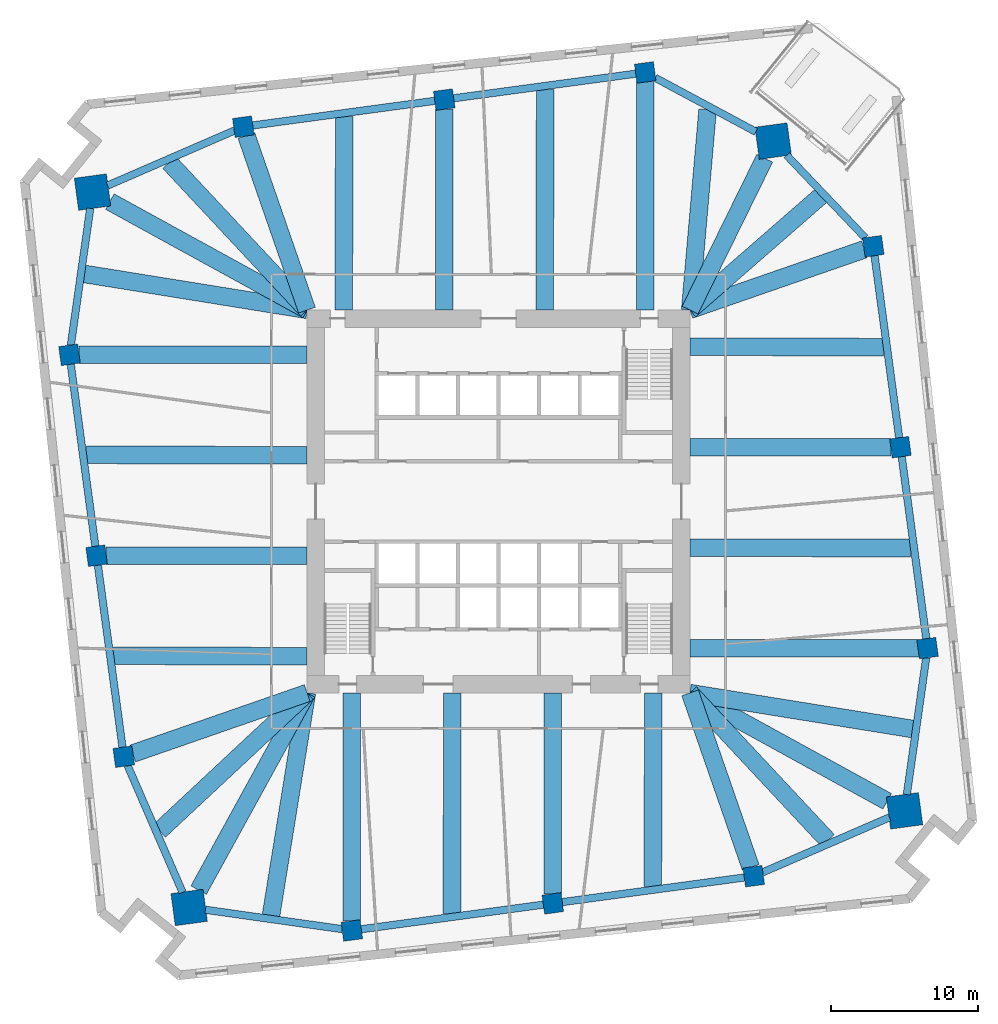
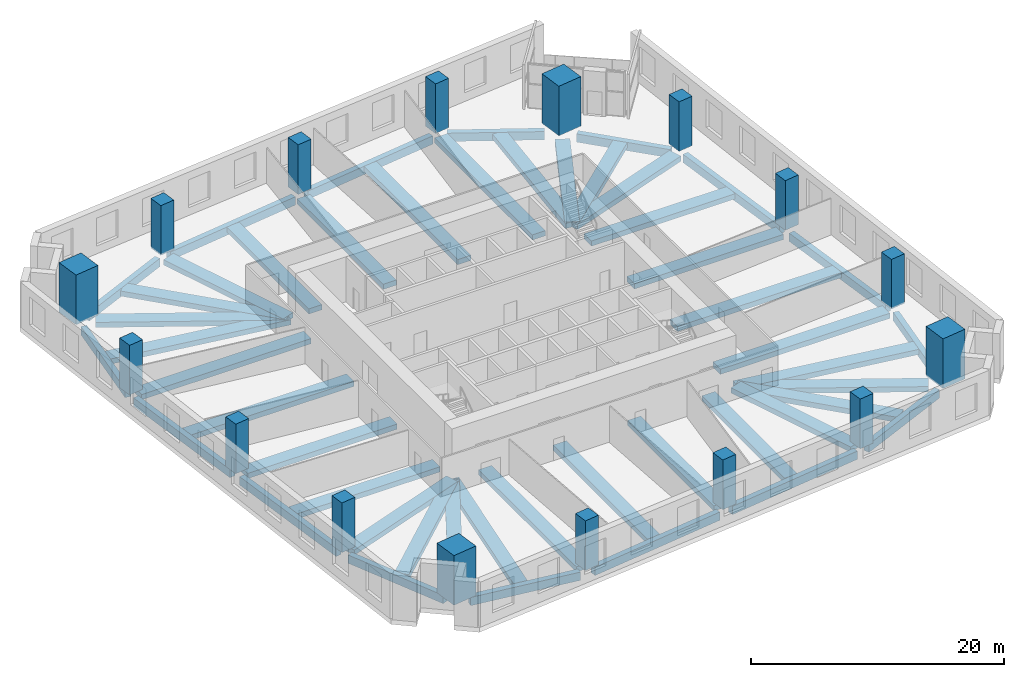
# One storey, part 1 of 10: 48 beams, 16 columns.
"""IFC4 building model written with IfcOpenShell, lengths in metres."""

from ifc_helpers import new_model, si_unit, direction, frame, origin, origin_2d, place, context, subcontext, project, spatial, rectangle, extrude, material, material_profile, profile_set, type_object, element, save


model = new_model("IFC4")

# Units and contexts
model_context = context("Model", 3, precision=1e-05, world=origin(), true_north=direction((0.0, 1.0)))
body_context = subcontext(model_context, "Body", "Model", "MODEL_VIEW")
ifc_project = project(units=[si_unit("LENGTHUNIT", "METRE"), si_unit("AREAUNIT", "SQUARE_METRE"), si_unit("VOLUMEUNIT", "CUBIC_METRE"), si_unit("PLANEANGLEUNIT", "RADIAN"), si_unit("MASSUNIT", "GRAM", prefix="KILO")], contexts=[model_context])

# Site, building, storey
site_placement = place(None, origin())
site = spatial("IfcSite", under=ifc_project, at=site_placement, CompositionType="ELEMENT")
building_placement = place(site_placement, origin())
building = spatial("IfcBuilding", under=site, at=building_placement, Name="Dilmun Exchange Tower", CompositionType="ELEMENT")
storey_placement = place(building_placement, frame((0.0, 0.0, 36.89990234375)))
storey = spatial("IfcBuildingStorey", under=building, at=storey_placement, Name="L08", CompositionType="ELEMENT", Elevation=36.89990234375)

# Columns
ifc_material_1 = material(Name="Concrete C80/95", Category="concrete")
ifc_material_profile_1 = material_profile(ifc_material_1, rectangle(XDim=2.199951171875, YDim=2.199951171875, at=origin_2d()), Name="2200 x 2200")
ifc_profile_set_1 = profile_set([ifc_material_profile_1], Name="Concrete C80/95")
column_type_1 = type_object("IfcColumnType", Name="RC mega column 2200 x 2200 C80/95", PredefinedType="COLUMN", material=ifc_profile_set_1)
for number, where, z_axis, x_axis, name in (
    (1, (18.6220703125, 24.43701171875, 0.0), (0.0, 0.0, 1.0), (0.991001197216, 0.133853005627, 0.0), "Mega column M1"),
    (2, (-27.531005859375, 20.97900390625, 0.0), (0.0, 0.0, 1.0), (0.991001197216, 0.133853005627, 0.0), "Mega column M2"),
    (3, (-20.97900390625, -27.531005859375, 0.0), (0.0, 0.0, 1.0), (0.991001197216, 0.133853005627, 0.0), "Mega column M3"),
    (4, (27.531005859375, -20.97900390625, 0.0), (0.0, 0.0, 1.0), (0.991001197216, 0.133853005627, 0.0), "Mega column M4"),
):
    element("IfcColumn", number, at=place(storey_placement, frame(where, z_axis=z_axis, x_axis=x_axis)), inside=storey, type_object=column_type_1, Name=name, PredefinedType="COLUMN", context=body_context, shape_type="SweptSolid", body=[
        extrude(rectangle(XDim=2.199951171875, YDim=2.199951171875, at=origin_2d()), origin(), (0.0, 0.0, 1.0), 4.800048828125),
    ])
ifc_material_profile_2 = material_profile(ifc_material_1, rectangle(XDim=1.300048828125, YDim=1.300048828125, at=origin_2d()), Name="1300 x 1300")
ifc_profile_set_2 = profile_set([ifc_material_profile_2], Name="Concrete C80/95")
column_type_2 = type_object("IfcColumnType", Name="RC ring column 1300 x 1300 C80/95", PredefinedType="COLUMN", material=ifc_profile_set_2)
for number, where, z_axis, x_axis, name in (
    (5, (9.945068359375, 29.093017578125, 0.0), (0.0, 0.0, 1.0), (0.991001197216, 0.133853005627, 0.0), "Ring column R01"),
    (6, (-3.680908203125, 27.2529296875, 0.0), (0.0, 0.0, 1.0), (0.991001197216, 0.133853005627, 0.0), "Ring column R02"),
    (7, (-17.306884765625, 25.412109375, 0.0), (0.0, 0.0, 1.0), (0.991001197216, 0.133853005627, 0.0), "Ring column R03"),
    (8, (-29.093017578125, 9.945068359375, 0.0), (0.0, 0.0, 1.0), (0.991001197216, 0.133853005627, 0.0), "Ring column R04"),
    (9, (-27.2529296875, -3.680908203125, 0.0), (0.0, 0.0, 1.0), (0.991001197216, 0.133853005627, 0.0), "Ring column R05"),
    (10, (-25.412109375, -17.306884765625, 0.0), (0.0, 0.0, 1.0), (0.991001197216, 0.133853005627, 0.0), "Ring column R06"),
    (11, (-9.945068359375, -29.093017578125, 0.0), (0.0, 0.0, 1.0), (0.991001197216, 0.133853005627, 0.0), "Ring column R07"),
    (12, (3.680908203125, -27.2529296875, 0.0), (0.0, 0.0, 1.0), (0.991001197216, 0.133853005627, 0.0), "Ring column R08"),
    (13, (17.306884765625, -25.412109375, 0.0), (0.0, 0.0, 1.0), (0.991001197216, 0.133853005627, 0.0), "Ring column R09"),
    (14, (29.093017578125, -9.945068359375, 0.0), (0.0, 0.0, 1.0), (0.991001197216, 0.133853005627, 0.0), "Ring column R10"),
    (15, (27.2529296875, 3.680908203125, 0.0), (0.0, 0.0, 1.0), (0.991001197216, 0.133853005627, 0.0), "Ring column R11"),
    (16, (25.412109375, 17.306884765625, 0.0), (0.0, 0.0, 1.0), (0.991001197216, 0.133853005627, 0.0), "Ring column R12"),
):
    element("IfcColumn", number, at=place(storey_placement, frame(where, z_axis=z_axis, x_axis=x_axis)), inside=storey, type_object=column_type_2, Name=name, PredefinedType="COLUMN", context=body_context, shape_type="SweptSolid", body=[
        extrude(rectangle(XDim=1.300048828125, YDim=1.300048828125, at=origin_2d()), origin(), (0.0, 0.0, 1.0), 4.800048828125),
    ])

# Beams
ifc_material_2 = material(Name="Concrete C40/50", Category="concrete")
ifc_material_profile_3 = material_profile(ifc_material_2, rectangle(XDim=1.199951171875, YDim=0.5, at=origin_2d()), Name="1200 x 500")
ifc_profile_set_3 = profile_set([ifc_material_profile_3], Name="Concrete C40/50")
beam_type_1 = type_object("IfcBeamType", Name="RC band beam 1200 x 500 C40/50", PredefinedType="BEAM", material=ifc_profile_set_3)
beam_1_placement = place(storey_placement, frame((18.049560546875, 23.272216796875, -0.699951171875), z_axis=(-0.44116009834, -0.897428419225, 0.0), x_axis=(0.897428419225, -0.44116009834, 0.0)))
element("IfcBeam", 17, at=beam_1_placement, inside=storey, type_object=beam_type_1, Name="Band beam 1", PredefinedType="BEAM", context=body_context, shape_type="SweptSolid", body=[
    extrude(rectangle(XDim=1.199951171875, YDim=0.5, at=origin_2d()), origin(), (0.0, 0.0, 1.0), 11.47314453125),
])
beam_2_placement = place(storey_placement, frame((9.945068359375, 28.464111328125, -0.699951171875), z_axis=(0.0, -1.0, 0.0), x_axis=(1.0, 0.0, 0.0)))
element("IfcBeam", 18, at=beam_2_placement, inside=storey, type_object=beam_type_1, Name="Band beam 2", PredefinedType="BEAM", context=body_context, shape_type="SweptSolid", body=[
    extrude(rectangle(XDim=1.199951171875, YDim=0.5, at=origin_2d()), origin(), (0.0, 0.0, 1.0), 15.4912109375),
])
beam_3_placement = place(storey_placement, frame((-3.680908203125, 26.6240234375, -0.699951171875), z_axis=(0.0, -1.0, 0.0), x_axis=(1.0, 0.0, 0.0)))
element("IfcBeam", 19, at=beam_3_placement, inside=storey, type_object=beam_type_1, Name="Band beam 3", PredefinedType="BEAM", context=body_context, shape_type="SweptSolid", body=[
    extrude(rectangle(XDim=1.199951171875, YDim=0.5, at=origin_2d()), origin(), (0.0, 0.0, 1.0), 13.651123046875),
])
beam_4_placement = place(storey_placement, frame((-17.098388671875, 24.81103515625, -0.699951171875), z_axis=(0.327819910959, -0.94474023201, 0.0), x_axis=(0.94474023201, 0.327819910959, 0.0)))
element("IfcBeam", 20, at=beam_4_placement, inside=storey, type_object=beam_type_1, Name="Band beam 4", PredefinedType="BEAM", context=body_context, shape_type="SweptSolid", body=[
    extrude(rectangle(XDim=1.199951171875, YDim=0.5, at=origin_2d()), origin(), (0.0, 0.0, 1.0), 12.52880859375),
])
beam_5_placement = place(storey_placement, frame((-26.355712890625, 20.333740234375, -0.699951171875), z_axis=(0.876547324806, -0.481315683699, 0.0), x_axis=(0.481315683699, 0.876547324806, 0.0)))
element("IfcBeam", 21, at=beam_5_placement, inside=storey, type_object=beam_type_1, Name="Band beam 5", PredefinedType="BEAM", context=body_context, shape_type="SweptSolid", body=[
    extrude(rectangle(XDim=1.199951171875, YDim=0.5, at=origin_2d()), origin(), (0.0, 0.0, 1.0), 15.263671875),
])
beam_6_placement = place(storey_placement, frame((-28.464111328125, 9.945068359375, -0.699951171875), z_axis=(1.0, 0.0, 0.0), x_axis=(0.0, 1.0, 0.0)))
element("IfcBeam", 22, at=beam_6_placement, inside=storey, type_object=beam_type_1, Name="Band beam 6", PredefinedType="BEAM", context=body_context, shape_type="SweptSolid", body=[
    extrude(rectangle(XDim=1.199951171875, YDim=0.5, at=origin_2d()), origin(), (0.0, 0.0, 1.0), 15.4912109375),
])
beam_7_placement = place(storey_placement, frame((-26.6240234375, -3.680908203125, -0.699951171875), z_axis=(1.0, 0.0, 0.0), x_axis=(0.0, 1.0, 0.0)))
element("IfcBeam", 23, at=beam_7_placement, inside=storey, type_object=beam_type_1, Name="Band beam 7", PredefinedType="BEAM", context=body_context, shape_type="SweptSolid", body=[
    extrude(rectangle(XDim=1.199951171875, YDim=0.5, at=origin_2d()), origin(), (0.0, 0.0, 1.0), 13.651123046875),
])
beam_8_placement = place(storey_placement, frame((-24.81103515625, -17.098388671875, -0.699951171875), z_axis=(0.94474023201, 0.327819910959, 0.0), x_axis=(-0.327819910959, 0.94474023201, 0.0)))
element("IfcBeam", 24, at=beam_8_placement, inside=storey, type_object=beam_type_1, Name="Band beam 8", PredefinedType="BEAM", context=body_context, shape_type="SweptSolid", body=[
    extrude(rectangle(XDim=1.199951171875, YDim=0.5, at=origin_2d()), origin(), (0.0, 0.0, 1.0), 12.52880859375),
])
beam_9_placement = place(storey_placement, frame((-20.333740234375, -26.355712890625, -0.699951171875), z_axis=(0.481315683699, 0.876547324806, 0.0), x_axis=(-0.876547324806, 0.481315683699, 0.0)))
element("IfcBeam", 25, at=beam_9_placement, inside=storey, type_object=beam_type_1, Name="Band beam 9", PredefinedType="BEAM", context=body_context, shape_type="SweptSolid", body=[
    extrude(rectangle(XDim=1.199951171875, YDim=0.5, at=origin_2d()), origin(), (0.0, 0.0, 1.0), 15.263671875),
])
beam_10_placement = place(storey_placement, frame((-9.945068359375, -28.464111328125, -0.699951171875), z_axis=(0.0, 1.0, 0.0), x_axis=(-1.0, 0.0, 0.0)))
element("IfcBeam", 26, at=beam_10_placement, inside=storey, type_object=beam_type_1, Name="Band beam 10", PredefinedType="BEAM", context=body_context, shape_type="SweptSolid", body=[
    extrude(rectangle(XDim=1.199951171875, YDim=0.5, at=origin_2d()), origin(), (0.0, 0.0, 1.0), 15.4912109375),
])
beam_11_placement = place(storey_placement, frame((3.680908203125, -26.6240234375, -0.699951171875), z_axis=(0.0, 1.0, 0.0), x_axis=(-1.0, 0.0, 0.0)))
element("IfcBeam", 27, at=beam_11_placement, inside=storey, type_object=beam_type_1, Name="Band beam 11", PredefinedType="BEAM", context=body_context, shape_type="SweptSolid", body=[
    extrude(rectangle(XDim=1.199951171875, YDim=0.5, at=origin_2d()), origin(), (0.0, 0.0, 1.0), 13.651123046875),
])
beam_12_placement = place(storey_placement, frame((17.098388671875, -24.81103515625, -0.699951171875), z_axis=(-0.327819910959, 0.94474023201, 0.0), x_axis=(-0.94474023201, -0.327819910959, 0.0)))
element("IfcBeam", 28, at=beam_12_placement, inside=storey, type_object=beam_type_1, Name="Band beam 12", PredefinedType="BEAM", context=body_context, shape_type="SweptSolid", body=[
    extrude(rectangle(XDim=1.199951171875, YDim=0.5, at=origin_2d()), origin(), (0.0, 0.0, 1.0), 12.52880859375),
])
beam_13_placement = place(storey_placement, frame((26.355712890625, -20.333740234375, -0.699951171875), z_axis=(-0.876547324806, 0.481315683699, 0.0), x_axis=(-0.481315683699, -0.876547324806, 0.0)))
element("IfcBeam", 29, at=beam_13_placement, inside=storey, type_object=beam_type_1, Name="Band beam 13", PredefinedType="BEAM", context=body_context, shape_type="SweptSolid", body=[
    extrude(rectangle(XDim=1.199951171875, YDim=0.5, at=origin_2d()), origin(), (0.0, 0.0, 1.0), 15.263671875),
])
beam_14_placement = place(storey_placement, frame((28.464111328125, -9.945068359375, -0.699951171875), z_axis=(-1.0, 0.0, 0.0), x_axis=(0.0, -1.0, 0.0)))
element("IfcBeam", 30, at=beam_14_placement, inside=storey, type_object=beam_type_1, Name="Band beam 14", PredefinedType="BEAM", context=body_context, shape_type="SweptSolid", body=[
    extrude(rectangle(XDim=1.199951171875, YDim=0.5, at=origin_2d()), origin(), (0.0, 0.0, 1.0), 15.4912109375),
])
beam_15_placement = place(storey_placement, frame((26.6240234375, 3.680908203125, -0.699951171875), z_axis=(-1.0, 0.0, 0.0), x_axis=(0.0, -1.0, 0.0)))
element("IfcBeam", 31, at=beam_15_placement, inside=storey, type_object=beam_type_1, Name="Band beam 15", PredefinedType="BEAM", context=body_context, shape_type="SweptSolid", body=[
    extrude(rectangle(XDim=1.199951171875, YDim=0.5, at=origin_2d()), origin(), (0.0, 0.0, 1.0), 13.651123046875),
])
beam_16_placement = place(storey_placement, frame((24.81103515625, 17.098388671875, -0.699951171875), z_axis=(-0.94474023201, -0.327819910959, 0.0), x_axis=(0.327819910959, -0.94474023201, 0.0)))
element("IfcBeam", 32, at=beam_16_placement, inside=storey, type_object=beam_type_1, Name="Band beam 16", PredefinedType="BEAM", context=body_context, shape_type="SweptSolid", body=[
    extrude(rectangle(XDim=1.199951171875, YDim=0.5, at=origin_2d()), origin(), (0.0, 0.0, 1.0), 12.52880859375),
])
beam_17_placement = place(storey_placement, frame((14.177978515625, 26.568603515625, -0.699951171875), z_axis=(-0.086499148019, -0.996251924662, 0.0), x_axis=(0.996251924662, -0.086499148019, 0.0)))
element("IfcBeam", 33, at=beam_17_placement, inside=storey, type_object=beam_type_1, Name="Band beam 17", PredefinedType="BEAM", context=body_context, shape_type="SweptSolid", body=[
    extrude(rectangle(XDim=1.199951171875, YDim=0.5, at=origin_2d()), origin(), (0.0, 0.0, 1.0), 13.646728515625),
])
beam_18_placement = place(storey_placement, frame((3.161865234375, 27.951904296875, -0.699951171875), z_axis=(-0.001988456479, -0.999998023018, 0.0), x_axis=(0.999998023018, -0.001988456479, 0.0)))
element("IfcBeam", 34, at=beam_18_placement, inside=storey, type_object=beam_type_1, Name="Band beam 18", PredefinedType="BEAM", context=body_context, shape_type="SweptSolid", body=[
    extrude(rectangle(XDim=1.199951171875, YDim=0.5, at=origin_2d()), origin(), (0.0, 0.0, 1.0), 14.97900390625),
])
beam_19_placement = place(storey_placement, frame((-10.464111328125, 26.111572265625, -0.699951171875), z_axis=(-0.002266977971, -0.999997430402, 0.0), x_axis=(0.999997430402, -0.002266977971, 0.0)))
element("IfcBeam", 35, at=beam_19_placement, inside=storey, type_object=beam_type_1, Name="Band beam 19", PredefinedType="BEAM", context=body_context, shape_type="SweptSolid", body=[
    extrude(rectangle(XDim=1.199951171875, YDim=0.5, at=origin_2d()), origin(), (0.0, 0.0, 1.0), 13.138671875),
])
beam_20_placement = place(storey_placement, frame((-22.330322265625, 22.990966796875, -0.699951171875), z_axis=(0.682523984798, -0.730863195253, 0.0), x_axis=(0.730863195253, 0.682523984798, 0.0)))
element("IfcBeam", 36, at=beam_20_placement, inside=storey, type_object=beam_type_1, Name="Band beam 20", PredefinedType="BEAM", context=body_context, shape_type="SweptSolid", body=[
    extrude(rectangle(XDim=1.199951171875, YDim=0.5, at=origin_2d()), origin(), (0.0, 0.0, 1.0), 13.697265625),
])
beam_21_placement = place(storey_placement, frame((-28.09130859375, 15.4306640625, -0.699951171875), z_axis=(0.98727513595, -0.159021400868, 0.0), x_axis=(0.159021400868, 0.98727513595, 0.0)))
element("IfcBeam", 37, at=beam_21_placement, inside=storey, type_object=beam_type_1, Name="Band beam 21", PredefinedType="BEAM", context=body_context, shape_type="SweptSolid", body=[
    extrude(rectangle(XDim=1.199951171875, YDim=0.5, at=origin_2d()), origin(), (0.0, 0.0, 1.0), 15.312744140625),
])
beam_22_placement = place(storey_placement, frame((-27.951904296875, 3.161865234375, -0.699951171875), z_axis=(0.999998023018, -0.001988456479, 0.0), x_axis=(0.001988456479, 0.999998023018, 0.0)))
element("IfcBeam", 38, at=beam_22_placement, inside=storey, type_object=beam_type_1, Name="Band beam 22", PredefinedType="BEAM", context=body_context, shape_type="SweptSolid", body=[
    extrude(rectangle(XDim=1.199951171875, YDim=0.5, at=origin_2d()), origin(), (0.0, 0.0, 1.0), 14.97900390625),
])
beam_23_placement = place(storey_placement, frame((-26.111572265625, -10.464111328125, -0.699951171875), z_axis=(0.999997430402, -0.002266977971, 0.0), x_axis=(0.002266977971, 0.999997430402, 0.0)))
element("IfcBeam", 39, at=beam_23_placement, inside=storey, type_object=beam_type_1, Name="Band beam 23", PredefinedType="BEAM", context=body_context, shape_type="SweptSolid", body=[
    extrude(rectangle(XDim=1.199951171875, YDim=0.5, at=origin_2d()), origin(), (0.0, 0.0, 1.0), 13.138671875),
])
beam_24_placement = place(storey_placement, frame((-22.990966796875, -22.330322265625, -0.699951171875), z_axis=(0.730863195253, 0.682523984798, 0.0), x_axis=(-0.682523984798, 0.730863195253, 0.0)))
element("IfcBeam", 40, at=beam_24_placement, inside=storey, type_object=beam_type_1, Name="Band beam 24", PredefinedType="BEAM", context=body_context, shape_type="SweptSolid", body=[
    extrude(rectangle(XDim=1.199951171875, YDim=0.5, at=origin_2d()), origin(), (0.0, 0.0, 1.0), 13.697265625),
])
beam_25_placement = place(storey_placement, frame((-15.4306640625, -28.09130859375, -0.699951171875), z_axis=(0.159021400868, 0.98727513595, 0.0), x_axis=(-0.98727513595, 0.159021400868, 0.0)))
element("IfcBeam", 41, at=beam_25_placement, inside=storey, type_object=beam_type_1, Name="Band beam 25", PredefinedType="BEAM", context=body_context, shape_type="SweptSolid", body=[
    extrude(rectangle(XDim=1.199951171875, YDim=0.5, at=origin_2d()), origin(), (0.0, 0.0, 1.0), 15.312744140625),
])
beam_26_placement = place(storey_placement, frame((-3.161865234375, -27.951904296875, -0.699951171875), z_axis=(0.001988456479, 0.999998023018, 0.0), x_axis=(-0.999998023018, 0.001988456479, 0.0)))
element("IfcBeam", 42, at=beam_26_placement, inside=storey, type_object=beam_type_1, Name="Band beam 26", PredefinedType="BEAM", context=body_context, shape_type="SweptSolid", body=[
    extrude(rectangle(XDim=1.199951171875, YDim=0.5, at=origin_2d()), origin(), (0.0, 0.0, 1.0), 14.97900390625),
])
beam_27_placement = place(storey_placement, frame((10.464111328125, -26.111572265625, -0.699951171875), z_axis=(0.002266977971, 0.999997430402, 0.0), x_axis=(-0.999997430402, 0.002266977971, 0.0)))
element("IfcBeam", 43, at=beam_27_placement, inside=storey, type_object=beam_type_1, Name="Band beam 27", PredefinedType="BEAM", context=body_context, shape_type="SweptSolid", body=[
    extrude(rectangle(XDim=1.199951171875, YDim=0.5, at=origin_2d()), origin(), (0.0, 0.0, 1.0), 13.138671875),
])
beam_28_placement = place(storey_placement, frame((22.330322265625, -22.990966796875, -0.699951171875), z_axis=(-0.682523984798, 0.730863195253, 0.0), x_axis=(-0.730863195253, -0.682523984798, 0.0)))
element("IfcBeam", 44, at=beam_28_placement, inside=storey, type_object=beam_type_1, Name="Band beam 28", PredefinedType="BEAM", context=body_context, shape_type="SweptSolid", body=[
    extrude(rectangle(XDim=1.199951171875, YDim=0.5, at=origin_2d()), origin(), (0.0, 0.0, 1.0), 13.697265625),
])
beam_29_placement = place(storey_placement, frame((28.09130859375, -15.4306640625, -0.699951171875), z_axis=(-0.98727513595, 0.159021400868, 0.0), x_axis=(-0.159021400868, -0.98727513595, 0.0)))
element("IfcBeam", 45, at=beam_29_placement, inside=storey, type_object=beam_type_1, Name="Band beam 29", PredefinedType="BEAM", context=body_context, shape_type="SweptSolid", body=[
    extrude(rectangle(XDim=1.199951171875, YDim=0.5, at=origin_2d()), origin(), (0.0, 0.0, 1.0), 15.312744140625),
])
beam_30_placement = place(storey_placement, frame((27.951904296875, -3.161865234375, -0.699951171875), z_axis=(-0.999998023018, 0.001988456479, 0.0), x_axis=(-0.001988456479, -0.999998023018, 0.0)))
element("IfcBeam", 46, at=beam_30_placement, inside=storey, type_object=beam_type_1, Name="Band beam 30", PredefinedType="BEAM", context=body_context, shape_type="SweptSolid", body=[
    extrude(rectangle(XDim=1.199951171875, YDim=0.5, at=origin_2d()), origin(), (0.0, 0.0, 1.0), 14.97900390625),
])
beam_31_placement = place(storey_placement, frame((26.111572265625, 10.464111328125, -0.699951171875), z_axis=(-0.999997430402, 0.002266977971, 0.0), x_axis=(-0.002266977971, -0.999997430402, 0.0)))
element("IfcBeam", 47, at=beam_31_placement, inside=storey, type_object=beam_type_1, Name="Band beam 31", PredefinedType="BEAM", context=body_context, shape_type="SweptSolid", body=[
    extrude(rectangle(XDim=1.199951171875, YDim=0.5, at=origin_2d()), origin(), (0.0, 0.0, 1.0), 13.138671875),
])
beam_32_placement = place(storey_placement, frame((21.85546875, 20.71826171875, -0.699951171875), z_axis=(-0.75384567582, -0.657051517803, 0.0), x_axis=(0.657051517803, -0.75384567582, 0.0)))
element("IfcBeam", 48, at=beam_32_placement, inside=storey, type_object=beam_type_1, Name="Band beam 32", PredefinedType="BEAM", context=body_context, shape_type="SweptSolid", body=[
    extrude(rectangle(XDim=1.199951171875, YDim=0.5, at=origin_2d()), origin(), (0.0, 0.0, 1.0), 11.77392578125),
])
ifc_material_profile_4 = material_profile(ifc_material_2, rectangle(XDim=0.5, YDim=0.800048828125, at=origin_2d()), Name="500 x 800")
ifc_profile_set_4 = profile_set([ifc_material_profile_4], Name="Concrete C40/50")
beam_type_2 = type_object("IfcBeamType", Name="RC ring beam 500 x 800 C40/50", PredefinedType="SPANDREL", material=ifc_profile_set_4)
beam_33_placement = place(storey_placement, frame((17.44921875, 25.06640625, -0.849853515625), z_axis=(-0.881161870548, 0.472814718354, 0.0), x_axis=(-0.472814718354, -0.881161870548, 0.0)))
element("IfcBeam", 49, at=beam_33_placement, inside=storey, type_object=beam_type_2, Name="Ring beam 1", PredefinedType="SPANDREL", context=body_context, shape_type="SweptSolid", body=[
    extrude(rectangle(XDim=0.5, YDim=0.800048828125, at=origin_2d()), origin(), (0.0, 0.0, 1.0), 7.74072265625),
])
for number, where, z_axis, x_axis, name in (
    (50, (9.32763671875, 29.009521484375, -0.849853515625), (-0.991007411355, -0.133806990248, 0.0), (0.133806990248, -0.991007411355, 0.0), "Ring beam 2"),
    (51, (-4.29833984375, 27.169677734375, -0.849853515625), (-0.990994461239, -0.133902867012, 0.0), (0.133902867012, -0.990994461239, 0.0), "Ring beam 3"),
):
    element("IfcBeam", number, at=place(storey_placement, frame(where, z_axis=z_axis, x_axis=x_axis)), inside=storey, type_object=beam_type_2, Name=name, PredefinedType="SPANDREL", context=body_context, shape_type="SweptSolid", body=[
        extrude(rectangle(XDim=0.5, YDim=0.800048828125, at=origin_2d()), origin(), (0.0, 0.0, 1.0), 12.50390625),
    ])
beam_34_placement = place(storey_placement, frame((-17.90185546875, 25.154052734375, -0.849853515625), z_axis=(-0.917467286901, -0.397811233459, 0.0), x_axis=(0.397811233459, -0.917467286901, 0.0)))
element("IfcBeam", 52, at=beam_34_placement, inside=storey, type_object=beam_type_2, Name="Ring beam 4", PredefinedType="SPANDREL", context=body_context, shape_type="SweptSolid", body=[
    extrude(rectangle(XDim=0.5, YDim=0.800048828125, at=origin_2d()), origin(), (0.0, 0.0, 1.0), 9.37939453125),
])
beam_35_placement = place(storey_placement, frame((-27.6875, 19.8740234375, -0.849853515625), z_axis=(-0.140164060375, -0.990128292788, 0.0), x_axis=(0.990128292788, -0.140164060375, 0.0)))
element("IfcBeam", 53, at=beam_35_placement, inside=storey, type_object=beam_type_2, Name="Ring beam 5", PredefinedType="SPANDREL", context=body_context, shape_type="SweptSolid", body=[
    extrude(rectangle(XDim=0.5, YDim=0.800048828125, at=origin_2d()), origin(), (0.0, 0.0, 1.0), 9.379638671875),
])
for number, where, z_axis, x_axis, name in (
    (54, (-29.009521484375, 9.32763671875, -0.849853515625), (0.133806990248, -0.991007411355, 0.0), (0.991007411355, 0.133806990248, 0.0), "Ring beam 6"),
    (55, (-27.169677734375, -4.29833984375, -0.849853515625), (0.133902867012, -0.990994461239, 0.0), (0.990994461239, 0.133902867012, 0.0), "Ring beam 7"),
):
    element("IfcBeam", number, at=place(storey_placement, frame(where, z_axis=z_axis, x_axis=x_axis)), inside=storey, type_object=beam_type_2, Name=name, PredefinedType="SPANDREL", context=body_context, shape_type="SweptSolid", body=[
        extrude(rectangle(XDim=0.5, YDim=0.800048828125, at=origin_2d()), origin(), (0.0, 0.0, 1.0), 12.50390625),
    ])
beam_36_placement = place(storey_placement, frame((-25.154052734375, -17.90185546875, -0.849853515625), z_axis=(0.397811233459, -0.917467286901, 0.0), x_axis=(0.917467286901, 0.397811233459, 0.0)))
element("IfcBeam", 56, at=beam_36_placement, inside=storey, type_object=beam_type_2, Name="Ring beam 8", PredefinedType="SPANDREL", context=body_context, shape_type="SweptSolid", body=[
    extrude(rectangle(XDim=0.5, YDim=0.800048828125, at=origin_2d()), origin(), (0.0, 0.0, 1.0), 9.37939453125),
])
beam_37_placement = place(storey_placement, frame((-19.8740234375, -27.6875, -0.849853515625), z_axis=(0.990128292788, -0.140164060375, 0.0), x_axis=(0.140164060375, 0.990128292788, 0.0)))
element("IfcBeam", 57, at=beam_37_placement, inside=storey, type_object=beam_type_2, Name="Ring beam 9", PredefinedType="SPANDREL", context=body_context, shape_type="SweptSolid", body=[
    extrude(rectangle(XDim=0.5, YDim=0.800048828125, at=origin_2d()), origin(), (0.0, 0.0, 1.0), 9.379638671875),
])
for number, where, z_axis, x_axis, name in (
    (58, (-9.32763671875, -29.009521484375, -0.849853515625), (0.991007411355, 0.133806990248, 0.0), (-0.133806990248, 0.991007411355, 0.0), "Ring beam 10"),
    (59, (4.29833984375, -27.169677734375, -0.849853515625), (0.990994461239, 0.133902867012, 0.0), (-0.133902867012, 0.990994461239, 0.0), "Ring beam 11"),
):
    element("IfcBeam", number, at=place(storey_placement, frame(where, z_axis=z_axis, x_axis=x_axis)), inside=storey, type_object=beam_type_2, Name=name, PredefinedType="SPANDREL", context=body_context, shape_type="SweptSolid", body=[
        extrude(rectangle(XDim=0.5, YDim=0.800048828125, at=origin_2d()), origin(), (0.0, 0.0, 1.0), 12.50390625),
    ])
beam_38_placement = place(storey_placement, frame((17.90185546875, -25.154052734375, -0.849853515625), z_axis=(0.917467286901, 0.397811233459, 0.0), x_axis=(-0.397811233459, 0.917467286901, 0.0)))
element("IfcBeam", 60, at=beam_38_placement, inside=storey, type_object=beam_type_2, Name="Ring beam 12", PredefinedType="SPANDREL", context=body_context, shape_type="SweptSolid", body=[
    extrude(rectangle(XDim=0.5, YDim=0.800048828125, at=origin_2d()), origin(), (0.0, 0.0, 1.0), 9.37939453125),
])
beam_39_placement = place(storey_placement, frame((27.6875, -19.8740234375, -0.849853515625), z_axis=(0.140164060375, 0.990128292788, 0.0), x_axis=(-0.990128292788, 0.140164060375, 0.0)))
element("IfcBeam", 61, at=beam_39_placement, inside=storey, type_object=beam_type_2, Name="Ring beam 13", PredefinedType="SPANDREL", context=body_context, shape_type="SweptSolid", body=[
    extrude(rectangle(XDim=0.5, YDim=0.800048828125, at=origin_2d()), origin(), (0.0, 0.0, 1.0), 9.379638671875),
])
for number, where, z_axis, x_axis, name in (
    (62, (29.009521484375, -9.32763671875, -0.849853515625), (-0.133806990248, 0.991007411355, 0.0), (-0.991007411355, -0.133806990248, 0.0), "Ring beam 14"),
    (63, (27.169677734375, 4.29833984375, -0.849853515625), (-0.133902867012, 0.990994461239, 0.0), (-0.990994461239, -0.133902867012, 0.0), "Ring beam 15"),
):
    element("IfcBeam", number, at=place(storey_placement, frame(where, z_axis=z_axis, x_axis=x_axis)), inside=storey, type_object=beam_type_2, Name=name, PredefinedType="SPANDREL", context=body_context, shape_type="SweptSolid", body=[
        extrude(rectangle(XDim=0.5, YDim=0.800048828125, at=origin_2d()), origin(), (0.0, 0.0, 1.0), 12.50390625),
    ])
beam_40_placement = place(storey_placement, frame((24.877197265625, 17.86865234375, -0.849853515625), z_axis=(-0.689624451134, 0.724167188154, 0.0), x_axis=(-0.724167188154, -0.689624451134, 0.0)))
element("IfcBeam", 64, at=beam_40_placement, inside=storey, type_object=beam_type_2, Name="Ring beam 16", PredefinedType="SPANDREL", context=body_context, shape_type="SweptSolid", body=[
    extrude(rectangle(XDim=0.5, YDim=0.800048828125, at=origin_2d()), origin(), (0.0, 0.0, 1.0), 7.7392578125),
])

save(model, "model.ifc")
